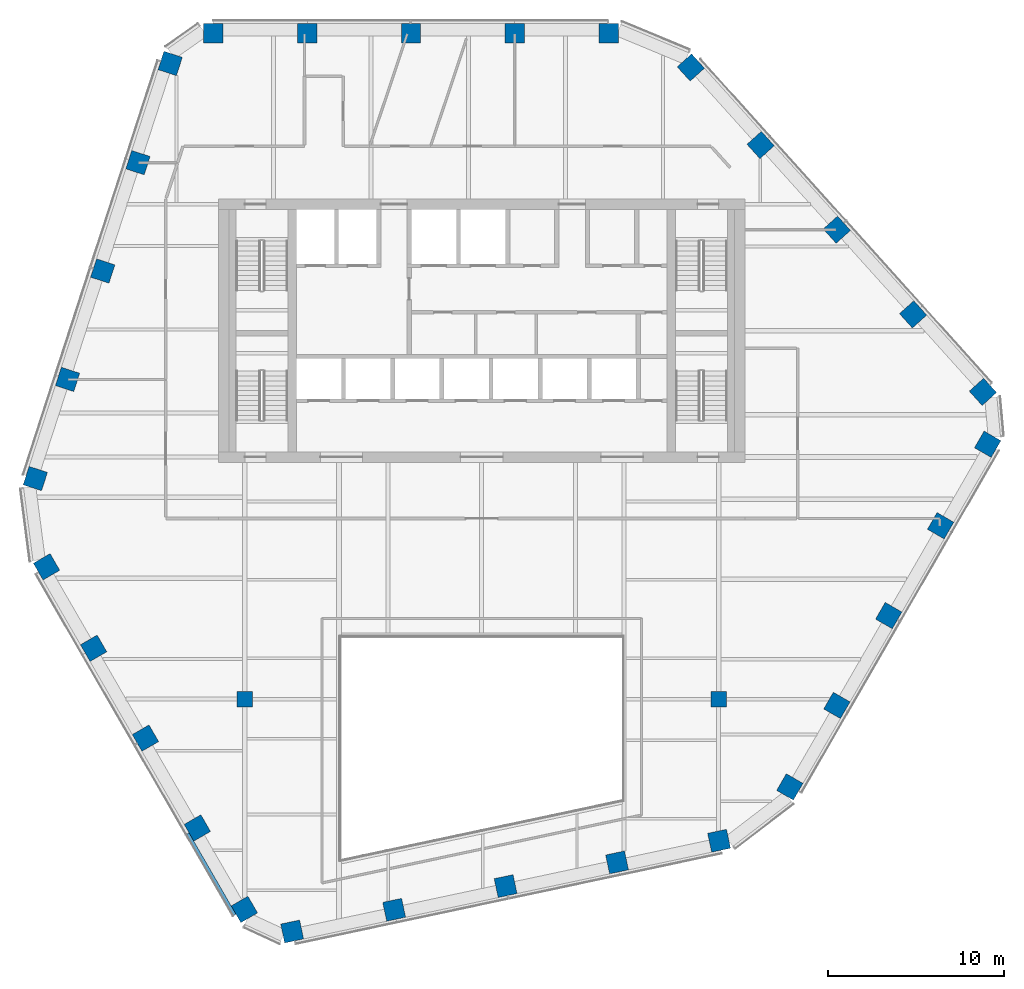
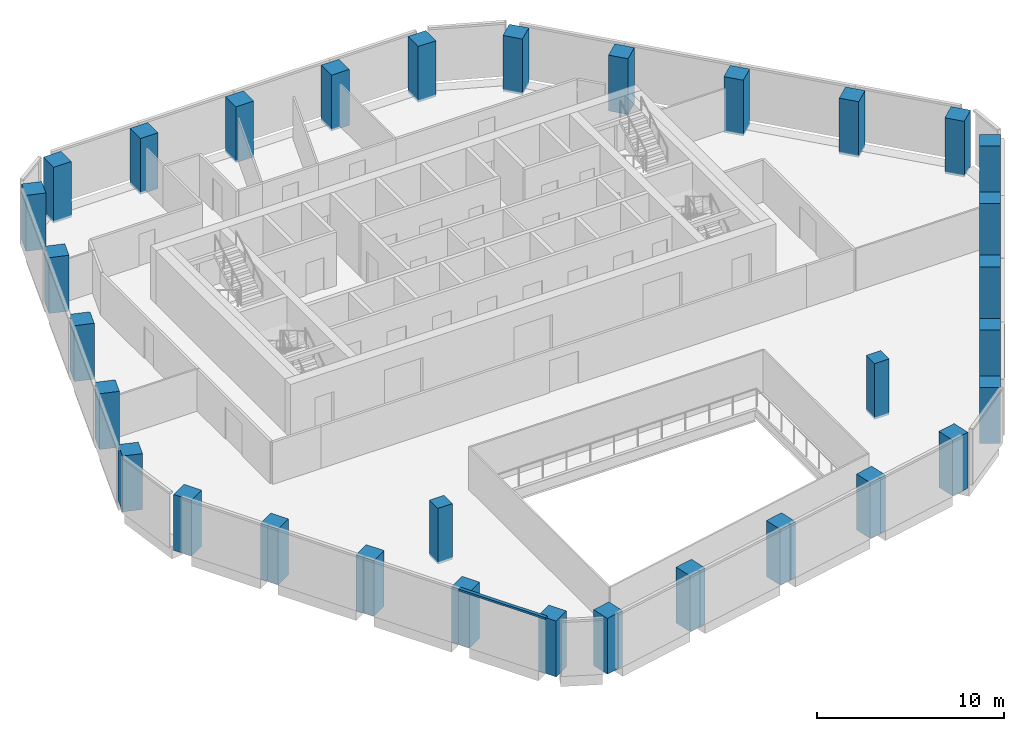
# One storey, part 1 of 15: 32 columns, 1 member, 1 element without a shape of its own.
"""IFC4 building model written with IfcOpenShell, lengths in metres."""

from ifc_helpers import new_model, si_unit, direction, frame, origin, origin_2d, place, context, subcontext, project, spatial, rectangle, extrude, material, layer, layer_set, material_profile, profile_set, type_object, element, aggregate, save


model = new_model("IFC4")

# Units and contexts
model_context = context("Model", 3, precision=1e-05, world=origin(), true_north=direction((0.0, 1.0)))
body_context = subcontext(model_context, "Body", "Model", "MODEL_VIEW")
ifc_project = project(units=[si_unit("LENGTHUNIT", "METRE"), si_unit("AREAUNIT", "SQUARE_METRE"), si_unit("VOLUMEUNIT", "CUBIC_METRE"), si_unit("PLANEANGLEUNIT", "RADIAN"), si_unit("MASSUNIT", "GRAM", prefix="KILO")], contexts=[model_context])

# Site, building, storey
site_placement = place(None, origin())
site = spatial("IfcSite", under=ifc_project, at=site_placement, CompositionType="ELEMENT")
building_placement = place(site_placement, origin())
building = spatial("IfcBuilding", under=site, at=building_placement, Name="Isthmus Gate Tower", CompositionType="ELEMENT")
storey_placement = place(building_placement, frame((0.0, 0.0, 223.60009765625)))
storey = spatial("IfcBuildingStorey", under=building, at=storey_placement, Name="L56", CompositionType="ELEMENT", Elevation=223.60009765625)

# Columns
ifc_material_1 = material(Name="Concrete f'c 50 MPa", Category="concrete")
ifc_material_profile_1 = material_profile(ifc_material_1, rectangle(XDim=0.89990234375, YDim=0.89990234375, at=origin_2d()), Name="RC 900X900")
ifc_profile_set_1 = profile_set([ifc_material_profile_1], Name="Concrete f'c 50 MPa")
column_type_1 = type_object("IfcColumnType", Name="RC INTERIOR COLUMN 900 X 900", PredefinedType="COLUMN", material=ifc_profile_set_1)
for number, where, z_axis, x_axis, name in (
    (1, (-13.5, -13.5, -0.150146484375), (0.0, 0.0, 1.0), (1.0, 0.0, 0.0), "str-icol-L56-ICB2"),
    (2, (13.5, -13.5, -0.150146484375), (0.0, 0.0, 1.0), (1.0, 0.0, 0.0), "str-icol-L56-ICD2"),
):
    element("IfcColumn", number, at=place(storey_placement, frame(where, z_axis=z_axis, x_axis=x_axis)), inside=storey, type_object=column_type_1, Name=name, PredefinedType="COLUMN", context=body_context, shape_type="SweptSolid", body=[
        extrude(rectangle(XDim=0.89990234375, YDim=0.89990234375, at=origin_2d()), origin(), (0.0, 0.0, 1.0), 3.650146484375),
    ])
ifc_material_2 = material(Name="Concrete f'c 50 MPa", Category="concrete")
ifc_material_profile_2 = material_profile(ifc_material_2, rectangle(XDim=1.10009765625, YDim=1.10009765625, at=origin_2d()), Name="RC 1100X1100")
ifc_profile_set_2 = profile_set([ifc_material_profile_2], Name="Concrete f'c 50 MPa")
column_type_2 = type_object("IfcColumnType", Name="RC TUBE COLUMN 1100 X 1100", PredefinedType="COLUMN", material=ifc_profile_set_2)
for number, where, z_axis, x_axis, name in (
    (3, (7.2412109375, 24.449951171875, -0.150146484375), (0.0, 0.0, 1.0), (-1.0, 0.0, 0.0), "str-tcol-L56-T3N0"),
    (4, (1.880615234375, 24.449951171875, -0.150146484375), (0.0, 0.0, 1.0), (-1.0, 0.0, 0.0), "str-tcol-L56-T3N1"),
    (5, (-4.030029296875, 24.449951171875, -0.150146484375), (0.0, 0.0, 1.0), (-1.0, 0.0, 0.0), "str-tcol-L56-T3N2"),
    (6, (-9.940673828125, 24.449951171875, -0.150146484375), (0.0, 0.0, 1.0), (-1.0, 0.0, 0.0), "str-tcol-L56-T3N3"),
    (7, (-15.30126953125, 24.449951171875, -0.150146484375), (0.0, 0.0, 1.0), (-1.0, 0.0, 0.0), "str-tcol-L56-T3N4"),
    (8, (-17.7509765625, 22.721923828125, -0.150146484375), (0.0, 0.0, 1.0), (-0.309016994375, -0.951056516295, 0.0), "str-tcol-L56-T3NW0"),
    (9, (-19.587158203125, 17.07080078125, -0.150146484375), (0.0, 0.0, 1.0), (-0.309016994375, -0.951056516295, 0.0), "str-tcol-L56-T3NW1"),
    (10, (-21.59326171875, 10.896728515625, -0.150146484375), (0.0, 0.0, 1.0), (-0.309016994375, -0.951056516295, 0.0), "str-tcol-L56-T3NW2"),
    (11, (-23.599365234375, 4.72265625, -0.150146484375), (0.0, 0.0, 1.0), (-0.309016994375, -0.951056516295, 0.0), "str-tcol-L56-T3NW3"),
    (12, (-25.435546875, -0.928466796875, -0.150146484375), (0.0, 0.0, 1.0), (-0.309016994375, -0.951056516295, 0.0), "str-tcol-L56-T3NW4"),
    (13, (-24.794921875, -5.9541015625, -0.150146484375), (0.0, 0.0, 1.0), (0.5, -0.866025403784, 0.0), "str-tcol-L56-T3SW0"),
    (14, (-22.114501953125, -10.596435546875, -0.150146484375), (0.0, 0.0, 1.0), (0.5, -0.866025403784, 0.0), "str-tcol-L56-T3SW1"),
    (15, (-19.1591796875, -15.715087890625, -0.150146484375), (0.0, 0.0, 1.0), (0.5, -0.866025403784, 0.0), "str-tcol-L56-T3SW2"),
    (16, (-16.2041015625, -20.833984375, -0.150146484375), (0.0, 0.0, 1.0), (0.5, -0.866025403784, 0.0), "str-tcol-L56-T3SW3"),
    (17, (-13.523681640625, -25.476318359375, -0.150146484375), (0.0, 0.0, 1.0), (0.5, -0.866025403784, 0.0), "str-tcol-L56-T3SW4"),
    (18, (-10.80224609375, -26.73388671875, -0.150146484375), (0.0, 0.0, 1.0), (0.978147600734, 0.207911690818, 0.0), "str-tcol-L56-T3S0"),
    (19, (-4.990234375, -25.498291015625, -0.150146484375), (0.0, 0.0, 1.0), (0.978147600734, 0.207911690818, 0.0), "str-tcol-L56-T3S1"),
    (20, (1.35986328125, -24.148681640625, -0.150146484375), (0.0, 0.0, 1.0), (0.978147600734, 0.207911690818, 0.0), "str-tcol-L56-T3S2"),
    (21, (7.7099609375, -22.798828125, -0.150146484375), (0.0, 0.0, 1.0), (0.978147600734, 0.207911690818, 0.0), "str-tcol-L56-T3S3"),
    (22, (13.52197265625, -21.5634765625, -0.150146484375), (0.0, 0.0, 1.0), (0.978147600734, 0.207911690818, 0.0), "str-tcol-L56-T3S4"),
    (23, (17.5537109375, -18.495849609375, -0.150146484375), (0.0, 0.0, 1.0), (0.5, 0.866025403784, 0.0), "str-tcol-L56-T3SE0"),
    (24, (20.234130859375, -13.853515625, -0.150146484375), (0.0, 0.0, 1.0), (0.5, 0.866025403784, 0.0), "str-tcol-L56-T3SE1"),
    (25, (23.189453125, -8.73486328125, -0.150146484375), (0.0, 0.0, 1.0), (0.5, 0.866025403784, 0.0), "str-tcol-L56-T3SE2"),
    (26, (26.144775390625, -3.6162109375, -0.150146484375), (0.0, 0.0, 1.0), (0.5, 0.866025403784, 0.0), "str-tcol-L56-T3SE3"),
    (27, (28.824951171875, 1.0263671875, -0.150146484375), (0.0, 0.0, 1.0), (0.5, 0.866025403784, 0.0), "str-tcol-L56-T3SE4"),
    (28, (28.55322265625, 4.011962890625, -0.150146484375), (0.0, 0.0, 1.0), (-0.669130606359, 0.743144825477, 0.0), "str-tcol-L56-T3NE0"),
    (29, (24.577392578125, 8.427490234375, -0.150146484375), (0.0, 0.0, 1.0), (-0.669130606359, 0.743144825477, 0.0), "str-tcol-L56-T3NE1"),
    (30, (20.2333984375, 13.251953125, -0.150146484375), (0.0, 0.0, 1.0), (-0.669130606359, 0.743144825477, 0.0), "str-tcol-L56-T3NE2"),
    (31, (15.8896484375, 18.076416015625, -0.150146484375), (0.0, 0.0, 1.0), (-0.669130606359, 0.743144825477, 0.0), "str-tcol-L56-T3NE3"),
    (32, (11.91357421875, 22.4921875, -0.150146484375), (0.0, 0.0, 1.0), (-0.669130606359, 0.743144825477, 0.0), "str-tcol-L56-T3NE4"),
):
    element("IfcColumn", number, at=place(storey_placement, frame(where, z_axis=z_axis, x_axis=x_axis)), inside=storey, type_object=column_type_2, Name=name, PredefinedType="COLUMN", context=body_context, shape_type="SweptSolid", body=[
        extrude(rectangle(XDim=1.10009765625, YDim=1.10009765625, at=origin_2d()), origin(), (0.0, 0.0, 1.0), 3.650146484375),
    ])

# Curtain wall, member
ifc_material_3 = material(Name="Aluminium, pale champagne anodised", Category="aluminium")
ifc_layer = layer(ifc_material_3, 0.199951171875)
ifc_layer_set = layer_set([ifc_layer], Name="CW-1 UNITISED CURTAIN WALL 200 DEEP")
curtain_wall_type = type_object("IfcCurtainWallType", Name="CW-1 UNITISED CURTAIN WALL 200 DEEP", PredefinedType="NOTDEFINED", material=ifc_layer_set)
curtain_wall_placement = place(storey_placement, origin())
curtain_wall = element("IfcCurtainWall", 33, at=curtain_wall_placement, inside=storey, type_object=curtain_wall_type, Name="CW-1 SW L56", PredefinedType="NOTDEFINED")
ifc_material_4 = material(Name="Aluminium, pale champagne anodised", Category="aluminium")
ifc_material_profile_3 = material_profile(ifc_material_4, rectangle(XDim=0.199951171875, YDim=0.1298828125, at=origin_2d()), Name="200x130")
ifc_profile_set_3 = profile_set([ifc_material_profile_3], Name="Aluminium, pale champagne anodised")
member_type = type_object("IfcMemberType", Name="CW-1 TRANSOM 200 X 130", PredefinedType="USERDEFINED", material=ifc_profile_set_3)
member_placement = place(storey_placement, frame((-16.766845703125, -21.158935546875, 3.5849609375), z_axis=(0.499989227444, -0.866031623233, 0.0), x_axis=(0.866031623233, 0.499989227444, 0.0)))
member = element("IfcMember", 34, at=member_placement, type_object=member_type, Name="CW-1 transom", ObjectType="TRANSOM", PredefinedType="USERDEFINED", context=body_context, shape_type="SweptSolid", body=[
    extrude(rectangle(XDim=0.199951171875, YDim=0.1298828125, at=origin_2d()), origin(), (0.0, 0.0, 1.0), 5.3603515625),
])
aggregate(curtain_wall, [member])

save(model, "model.ifc")
